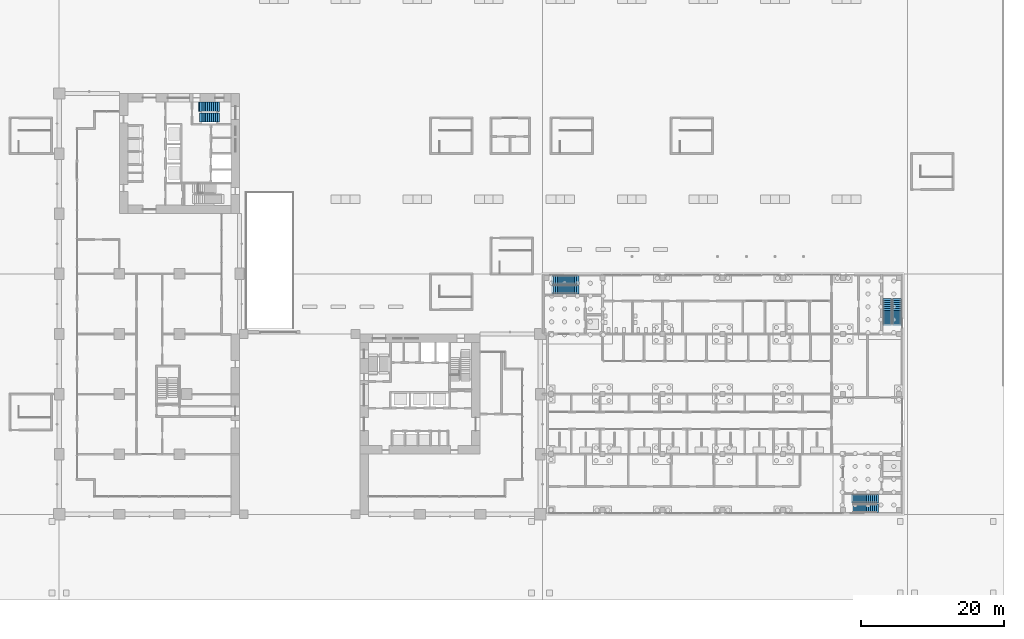
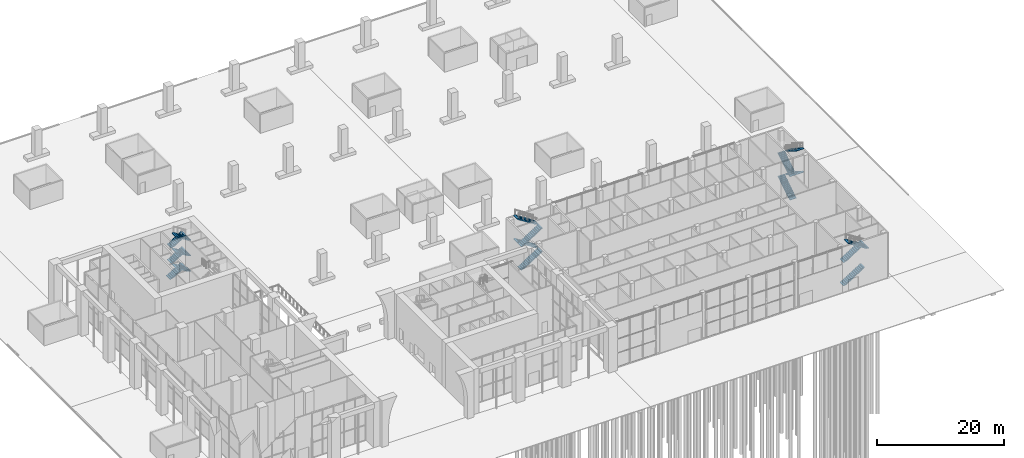
# One storey, part 33 of 46: 17 stair flights, 4 elements without a shape of their own.
"""IFC4 building model written with IfcOpenShell, lengths in metres."""

from ifc_helpers import new_model, si_unit, direction, frame, origin, place, context, subcontext, project, spatial, polyline, outline, extrude, material, type_object, element, aggregate, save


model = new_model("IFC4")

# Units and contexts
model_context = context("Model", 3, precision=1e-05, world=origin(), true_north=direction((0.0, 1.0)))
body_context = subcontext(model_context, "Body", "Model", "MODEL_VIEW")
ifc_project = project(units=[si_unit("LENGTHUNIT", "METRE"), si_unit("AREAUNIT", "SQUARE_METRE"), si_unit("VOLUMEUNIT", "CUBIC_METRE"), si_unit("PLANEANGLEUNIT", "RADIAN"), si_unit("MASSUNIT", "GRAM", prefix="KILO")], contexts=[model_context])

# Site, building, storey
site_placement = place(None, origin())
site = spatial("IfcSite", under=ifc_project, at=site_placement, CompositionType="ELEMENT")
building_placement = place(site_placement, origin())
building = spatial("IfcBuilding", under=site, at=building_placement, Name="Vermilion Gate Residences", CompositionType="ELEMENT")
storey_placement = place(building_placement, origin())
storey = spatial("IfcBuildingStorey", under=building, at=storey_placement, Name="L00", CompositionType="ELEMENT", Elevation=0.0)

# Stair, stair flights
ifc_material_1 = material(Name="Concrete C35", Category="concrete")
stair_type_1 = type_object("IfcStairType", Name="RC STAIR 1200 (MARKET HALL)", PredefinedType="HALF_TURN_STAIR", material=ifc_material_1)
stair_1_placement = place(storey_placement, origin())
stair_1 = element("IfcStair", 1, at=stair_1_placement, inside=storey, type_object=stair_type_1, Name="Stair STH1-00", PredefinedType="HALF_TURN_STAIR")
ifc_material_2 = material(Name="Concrete C35", Category="concrete")
stair_flight_type_1 = type_object("IfcStairFlightType", Name="RC STAIR FLIGHT 1200 (MARKET HALL)", PredefinedType="STRAIGHT", material=ifc_material_2)
stair_flight_1_placement = place(storey_placement, frame((69.050048828125, 31.39990234375, 0.0), z_axis=(0.0, 0.0, 1.0), x_axis=(1.0, 0.0, 0.0)))
stair_flight_1 = element("IfcStairFlight", 2, at=stair_flight_1_placement, type_object=stair_flight_type_1, Name="STH1-00 flight 1", NumberOfRisers=13, NumberOfTreads=12, PredefinedType="STRAIGHT", RiserHeight=0.173076923, TreadLength=0.27, context=body_context, shape_type="SweptSolid", body=[
    extrude(outline(polyline([(-0.300048828125, -0.14990234375), (-0.300048828125, -0.030029296875), (0.0, 0.0), (0.0, 0.173095703125), (0.27001953125, 0.173095703125), (0.27001953125, 0.34619140625), (0.5400390625, 0.34619140625), (0.5400390625, 0.519287109375), (0.81005859375, 0.519287109375), (0.81005859375, 0.6923828125), (1.080078125, 0.6923828125), (1.080078125, 0.865478515625), (1.35009765625, 0.865478515625), (1.35009765625, 1.03857421875), (1.6201171875, 1.03857421875), (1.6201171875, 1.21142578125), (1.889892578125, 1.21142578125), (1.889892578125, 1.384521484375), (2.159912109375, 1.384521484375), (2.159912109375, 1.5576171875), (2.429931640625, 1.5576171875), (2.429931640625, 1.730712890625), (2.699951171875, 1.730712890625), (2.699951171875, 1.90380859375), (2.969970703125, 1.90380859375), (2.969970703125, 2.076904296875), (3.239990234375, 2.076904296875), (3.239990234375, 2.25), (3.5400390625, 2.219970703125), (3.5400390625, 2.10009765625), (3.239990234375, 1.89892578125), (0.27783203125, 0.0), (-0.300048828125, -0.14990234375)])), frame((0.0, 0.60009765625, 0.0), z_axis=(0.0, -1.0, 0.0), x_axis=(1.0, 0.0, 0.0)), (0.0, 0.0, 1.0), 1.199951171875),
])
stair_flight_2_placement = place(storey_placement, frame((72.2900390625, 32.75, 2.25), z_axis=(0.0, 0.0, 1.0), x_axis=(-1.0, 0.0, 0.0)))
stair_flight_2 = element("IfcStairFlight", 3, at=stair_flight_2_placement, type_object=stair_flight_type_1, Name="STH1-00 flight 2", NumberOfRisers=13, NumberOfTreads=12, PredefinedType="STRAIGHT", RiserHeight=0.173076923, TreadLength=0.27, context=body_context, shape_type="SweptSolid", body=[
    extrude(outline(polyline([(-0.300048828125, -0.14990234375), (-0.300048828125, -0.030029296875), (0.0, 0.0), (0.0, 0.173095703125), (0.27001953125, 0.173095703125), (0.27001953125, 0.34619140625), (0.5400390625, 0.34619140625), (0.5400390625, 0.519287109375), (0.81005859375, 0.519287109375), (0.81005859375, 0.6923828125), (1.080078125, 0.6923828125), (1.080078125, 0.865478515625), (1.35009765625, 0.865478515625), (1.35009765625, 1.03857421875), (1.6201171875, 1.03857421875), (1.6201171875, 1.21142578125), (1.889892578125, 1.21142578125), (1.889892578125, 1.384521484375), (2.159912109375, 1.384521484375), (2.159912109375, 1.5576171875), (2.429931640625, 1.5576171875), (2.429931640625, 1.730712890625), (2.699951171875, 1.730712890625), (2.699951171875, 1.90380859375), (2.969970703125, 1.90380859375), (2.969970703125, 2.076904296875), (3.239990234375, 2.076904296875), (3.239990234375, 2.25), (3.5400390625, 2.219970703125), (3.5400390625, 2.10009765625), (3.239990234375, 1.89892578125), (0.27783203125, 0.0), (-0.300048828125, -0.14990234375)])), frame((0.0, 0.60009765625, 0.0), z_axis=(0.0, -1.0, 0.0), x_axis=(1.0, 0.0, 0.0)), (0.0, 0.0, 1.0), 1.199951171875),
])
stair_flight_3_placement = place(storey_placement, frame((69.050048828125, 31.39990234375, 4.5), z_axis=(0.0, 0.0, 1.0), x_axis=(1.0, 0.0, 0.0)))
stair_flight_3 = element("IfcStairFlight", 4, at=stair_flight_3_placement, type_object=stair_flight_type_1, Name="STH1-00 flight 3", NumberOfRisers=13, NumberOfTreads=12, PredefinedType="STRAIGHT", RiserHeight=0.173076923, TreadLength=0.27, context=body_context, shape_type="SweptSolid", body=[
    extrude(outline(polyline([(-0.300048828125, -0.14990234375), (-0.300048828125, -0.030029296875), (0.0, 0.0), (0.0, 0.173095703125), (0.27001953125, 0.173095703125), (0.27001953125, 0.34619140625), (0.5400390625, 0.34619140625), (0.5400390625, 0.519287109375), (0.81005859375, 0.519287109375), (0.81005859375, 0.6923828125), (1.080078125, 0.6923828125), (1.080078125, 0.865478515625), (1.35009765625, 0.865478515625), (1.35009765625, 1.03857421875), (1.6201171875, 1.03857421875), (1.6201171875, 1.21142578125), (1.889892578125, 1.21142578125), (1.889892578125, 1.384521484375), (2.159912109375, 1.384521484375), (2.159912109375, 1.5576171875), (2.429931640625, 1.5576171875), (2.429931640625, 1.730712890625), (2.699951171875, 1.730712890625), (2.699951171875, 1.90380859375), (2.969970703125, 1.90380859375), (2.969970703125, 2.076904296875), (3.239990234375, 2.076904296875), (3.239990234375, 2.25), (3.5400390625, 2.219970703125), (3.5400390625, 2.10009765625), (3.239990234375, 1.89892578125), (0.27783203125, 0.0), (-0.300048828125, -0.14990234375)])), frame((0.0, 0.60009765625, 0.0), z_axis=(0.0, -1.0, 0.0), x_axis=(1.0, 0.0, 0.0)), (0.0, 0.0, 1.0), 1.199951171875),
])
stair_flight_4_placement = place(storey_placement, frame((72.2900390625, 32.75, 6.75), z_axis=(0.0, 0.0, 1.0), x_axis=(-1.0, 0.0, 0.0)))
stair_flight_4 = element("IfcStairFlight", 5, at=stair_flight_4_placement, type_object=stair_flight_type_1, Name="STH1-00 flight 4", NumberOfRisers=13, NumberOfTreads=12, PredefinedType="STRAIGHT", RiserHeight=0.173076923, TreadLength=0.27, context=body_context, shape_type="SweptSolid", body=[
    extrude(outline(polyline([(-0.300048828125, -0.14990234375), (-0.300048828125, -0.030029296875), (0.0, 0.0), (0.0, 0.173095703125), (0.27001953125, 0.173095703125), (0.27001953125, 0.34619140625), (0.5400390625, 0.34619140625), (0.5400390625, 0.519287109375), (0.81005859375, 0.519287109375), (0.81005859375, 0.6923828125), (1.080078125, 0.6923828125), (1.080078125, 0.865478515625), (1.35009765625, 0.865478515625), (1.35009765625, 1.03857421875), (1.6201171875, 1.03857421875), (1.6201171875, 1.21142578125), (1.889892578125, 1.21142578125), (1.889892578125, 1.384521484375), (2.159912109375, 1.384521484375), (2.159912109375, 1.5576171875), (2.429931640625, 1.5576171875), (2.429931640625, 1.730712890625), (2.699951171875, 1.730712890625), (2.699951171875, 1.90380859375), (2.969970703125, 1.90380859375), (2.969970703125, 2.076904296875), (3.239990234375, 2.076904296875), (3.239990234375, 2.25), (3.5400390625, 2.219970703125), (3.5400390625, 2.10009765625), (3.239990234375, 1.89892578125), (0.27783203125, 0.0), (-0.300048828125, -0.14990234375)])), frame((0.0, 0.60009765625, 0.0), z_axis=(0.0, -1.0, 0.0), x_axis=(1.0, 0.0, 0.0)), (0.0, 0.0, 1.0), 1.199951171875),
])
aggregate(stair_1, [stair_flight_1, stair_flight_2, stair_flight_3, stair_flight_4])

stair_2_placement = place(storey_placement, origin())
stair_2 = element("IfcStair", 6, at=stair_2_placement, inside=storey, type_object=stair_type_1, Name="Stair STH2-00", PredefinedType="HALF_TURN_STAIR")
stair_flight_5_placement = place(storey_placement, frame((110.925048828125, 2.199951171875, 0.0), z_axis=(0.0, 0.0, 1.0), x_axis=(1.0, 0.0, 0.0)))
stair_flight_5 = element("IfcStairFlight", 7, at=stair_flight_5_placement, type_object=stair_flight_type_1, Name="STH2-00 flight 1", NumberOfRisers=13, NumberOfTreads=12, PredefinedType="STRAIGHT", RiserHeight=0.173076923, TreadLength=0.27, context=body_context, shape_type="SweptSolid", body=[
    extrude(outline(polyline([(-0.300048828125, -0.14990234375), (-0.300048828125, -0.030029296875), (0.0, 0.0), (0.0, 0.173095703125), (0.27001953125, 0.173095703125), (0.27001953125, 0.34619140625), (0.5400390625, 0.34619140625), (0.5400390625, 0.519287109375), (0.81005859375, 0.519287109375), (0.81005859375, 0.6923828125), (1.080078125, 0.6923828125), (1.080078125, 0.865478515625), (1.35009765625, 0.865478515625), (1.35009765625, 1.03857421875), (1.6201171875, 1.03857421875), (1.6201171875, 1.21142578125), (1.889892578125, 1.21142578125), (1.889892578125, 1.384521484375), (2.159912109375, 1.384521484375), (2.159912109375, 1.5576171875), (2.429931640625, 1.5576171875), (2.429931640625, 1.730712890625), (2.699951171875, 1.730712890625), (2.699951171875, 1.90380859375), (2.969970703125, 1.90380859375), (2.969970703125, 2.076904296875), (3.239990234375, 2.076904296875), (3.239990234375, 2.25), (3.5400390625, 2.219970703125), (3.5400390625, 2.10009765625), (3.239990234375, 1.89892578125), (0.27783203125, 0.0), (-0.300048828125, -0.14990234375)])), frame((0.0, 0.60009765625, 0.0), z_axis=(0.0, -1.0, 0.0), x_axis=(1.0, 0.0, 0.0)), (0.0, 0.0, 1.0), 1.199951171875),
])
stair_flight_6_placement = place(storey_placement, frame((110.925048828125, 2.199951171875, 4.5), z_axis=(0.0, 0.0, 1.0), x_axis=(1.0, 0.0, 0.0)))
stair_flight_6 = element("IfcStairFlight", 8, at=stair_flight_6_placement, type_object=stair_flight_type_1, Name="STH2-00 flight 3", NumberOfRisers=13, NumberOfTreads=12, PredefinedType="STRAIGHT", RiserHeight=0.173076923, TreadLength=0.27, context=body_context, shape_type="SweptSolid", body=[
    extrude(outline(polyline([(-0.300048828125, -0.14990234375), (-0.300048828125, -0.030029296875), (0.0, 0.0), (0.0, 0.173095703125), (0.27001953125, 0.173095703125), (0.27001953125, 0.34619140625), (0.5400390625, 0.34619140625), (0.5400390625, 0.519287109375), (0.81005859375, 0.519287109375), (0.81005859375, 0.6923828125), (1.080078125, 0.6923828125), (1.080078125, 0.865478515625), (1.35009765625, 0.865478515625), (1.35009765625, 1.03857421875), (1.6201171875, 1.03857421875), (1.6201171875, 1.21142578125), (1.889892578125, 1.21142578125), (1.889892578125, 1.384521484375), (2.159912109375, 1.384521484375), (2.159912109375, 1.5576171875), (2.429931640625, 1.5576171875), (2.429931640625, 1.730712890625), (2.699951171875, 1.730712890625), (2.699951171875, 1.90380859375), (2.969970703125, 1.90380859375), (2.969970703125, 2.076904296875), (3.239990234375, 2.076904296875), (3.239990234375, 2.25), (3.5400390625, 2.219970703125), (3.5400390625, 2.10009765625), (3.239990234375, 1.89892578125), (0.27783203125, 0.0), (-0.300048828125, -0.14990234375)])), frame((0.0, 0.60009765625, 0.0), z_axis=(0.0, -1.0, 0.0), x_axis=(1.0, 0.0, 0.0)), (0.0, 0.0, 1.0), 1.199951171875),
])
stair_flight_7_placement = place(storey_placement, frame((114.1650390625, 0.85009765625, 6.75), z_axis=(0.0, 0.0, 1.0), x_axis=(-1.0, 0.0, 0.0)))
stair_flight_7 = element("IfcStairFlight", 9, at=stair_flight_7_placement, type_object=stair_flight_type_1, Name="STH2-00 flight 4", NumberOfRisers=13, NumberOfTreads=12, PredefinedType="STRAIGHT", RiserHeight=0.173076923, TreadLength=0.27, context=body_context, shape_type="SweptSolid", body=[
    extrude(outline(polyline([(-0.300048828125, -0.14990234375), (-0.300048828125, -0.030029296875), (0.0, 0.0), (0.0, 0.173095703125), (0.27001953125, 0.173095703125), (0.27001953125, 0.34619140625), (0.5400390625, 0.34619140625), (0.5400390625, 0.519287109375), (0.81005859375, 0.519287109375), (0.81005859375, 0.6923828125), (1.080078125, 0.6923828125), (1.080078125, 0.865478515625), (1.35009765625, 0.865478515625), (1.35009765625, 1.03857421875), (1.6201171875, 1.03857421875), (1.6201171875, 1.21142578125), (1.889892578125, 1.21142578125), (1.889892578125, 1.384521484375), (2.159912109375, 1.384521484375), (2.159912109375, 1.5576171875), (2.429931640625, 1.5576171875), (2.429931640625, 1.730712890625), (2.699951171875, 1.730712890625), (2.699951171875, 1.90380859375), (2.969970703125, 1.90380859375), (2.969970703125, 2.076904296875), (3.239990234375, 2.076904296875), (3.239990234375, 2.25), (3.5400390625, 2.219970703125), (3.5400390625, 2.10009765625), (3.239990234375, 1.89892578125), (0.27783203125, 0.0), (-0.300048828125, -0.14990234375)])), frame((0.0, 0.60009765625, 0.0), z_axis=(0.0, -1.0, 0.0), x_axis=(1.0, 0.0, 0.0)), (0.0, 0.0, 1.0), 1.199951171875),
])
aggregate(stair_2, [stair_flight_5, stair_flight_6, stair_flight_7])

stair_3_placement = place(storey_placement, origin())
stair_3 = element("IfcStair", 10, at=stair_3_placement, inside=storey, type_object=stair_type_1, Name="Stair STH3-00", PredefinedType="HALF_TURN_STAIR")
stair_flight_8_placement = place(storey_placement, frame((115.699951171875, 26.625, 0.0), z_axis=(0.0, 0.0, 1.0), x_axis=(0.0, 1.0, 0.0)))
stair_flight_8 = element("IfcStairFlight", 11, at=stair_flight_8_placement, type_object=stair_flight_type_1, Name="STH3-00 flight 1", NumberOfRisers=13, NumberOfTreads=12, PredefinedType="STRAIGHT", RiserHeight=0.173076923, TreadLength=0.27, context=body_context, shape_type="SweptSolid", body=[
    extrude(outline(polyline([(-0.300048828125, -0.14990234375), (-0.300048828125, -0.030029296875), (0.0, 0.0), (0.0, 0.173095703125), (0.27001953125, 0.173095703125), (0.27001953125, 0.34619140625), (0.5400390625, 0.34619140625), (0.5400390625, 0.519287109375), (0.81005859375, 0.519287109375), (0.81005859375, 0.6923828125), (1.080078125, 0.6923828125), (1.080078125, 0.865478515625), (1.35009765625, 0.865478515625), (1.35009765625, 1.03857421875), (1.6201171875, 1.03857421875), (1.6201171875, 1.21142578125), (1.889892578125, 1.21142578125), (1.889892578125, 1.384521484375), (2.159912109375, 1.384521484375), (2.159912109375, 1.5576171875), (2.429931640625, 1.5576171875), (2.429931640625, 1.730712890625), (2.699951171875, 1.730712890625), (2.699951171875, 1.90380859375), (2.969970703125, 1.90380859375), (2.969970703125, 2.076904296875), (3.239990234375, 2.076904296875), (3.239990234375, 2.25), (3.5400390625, 2.219970703125), (3.5400390625, 2.10009765625), (3.239990234375, 1.89892578125), (0.27783203125, 0.0), (-0.300048828125, -0.14990234375)])), frame((0.0, 0.60009765625, 0.0), z_axis=(0.0, -1.0, 0.0), x_axis=(1.0, 0.0, 0.0)), (0.0, 0.0, 1.0), 1.199951171875),
])
stair_flight_9_placement = place(storey_placement, frame((117.050048828125, 29.864990234375, 2.25), z_axis=(0.0, 0.0, 1.0), x_axis=(0.0, -1.0, 0.0)))
stair_flight_9 = element("IfcStairFlight", 12, at=stair_flight_9_placement, type_object=stair_flight_type_1, Name="STH3-00 flight 2", NumberOfRisers=13, NumberOfTreads=12, PredefinedType="STRAIGHT", RiserHeight=0.173076923, TreadLength=0.27, context=body_context, shape_type="SweptSolid", body=[
    extrude(outline(polyline([(-0.300048828125, -0.14990234375), (-0.300048828125, -0.030029296875), (0.0, 0.0), (0.0, 0.173095703125), (0.27001953125, 0.173095703125), (0.27001953125, 0.34619140625), (0.5400390625, 0.34619140625), (0.5400390625, 0.519287109375), (0.81005859375, 0.519287109375), (0.81005859375, 0.6923828125), (1.080078125, 0.6923828125), (1.080078125, 0.865478515625), (1.35009765625, 0.865478515625), (1.35009765625, 1.03857421875), (1.6201171875, 1.03857421875), (1.6201171875, 1.21142578125), (1.889892578125, 1.21142578125), (1.889892578125, 1.384521484375), (2.159912109375, 1.384521484375), (2.159912109375, 1.5576171875), (2.429931640625, 1.5576171875), (2.429931640625, 1.730712890625), (2.699951171875, 1.730712890625), (2.699951171875, 1.90380859375), (2.969970703125, 1.90380859375), (2.969970703125, 2.076904296875), (3.239990234375, 2.076904296875), (3.239990234375, 2.25), (3.5400390625, 2.219970703125), (3.5400390625, 2.10009765625), (3.239990234375, 1.89892578125), (0.27783203125, 0.0), (-0.300048828125, -0.14990234375)])), frame((0.0, 0.60009765625, 0.0), z_axis=(0.0, -1.0, 0.0), x_axis=(1.0, 0.0, 0.0)), (0.0, 0.0, 1.0), 1.199951171875),
])
stair_flight_10_placement = place(storey_placement, frame((115.699951171875, 26.625, 4.5), z_axis=(0.0, 0.0, 1.0), x_axis=(0.0, 1.0, 0.0)))
stair_flight_10 = element("IfcStairFlight", 13, at=stair_flight_10_placement, type_object=stair_flight_type_1, Name="STH3-00 flight 3", NumberOfRisers=13, NumberOfTreads=12, PredefinedType="STRAIGHT", RiserHeight=0.173076923, TreadLength=0.27, context=body_context, shape_type="SweptSolid", body=[
    extrude(outline(polyline([(-0.300048828125, -0.14990234375), (-0.300048828125, -0.030029296875), (0.0, 0.0), (0.0, 0.173095703125), (0.27001953125, 0.173095703125), (0.27001953125, 0.34619140625), (0.5400390625, 0.34619140625), (0.5400390625, 0.519287109375), (0.81005859375, 0.519287109375), (0.81005859375, 0.6923828125), (1.080078125, 0.6923828125), (1.080078125, 0.865478515625), (1.35009765625, 0.865478515625), (1.35009765625, 1.03857421875), (1.6201171875, 1.03857421875), (1.6201171875, 1.21142578125), (1.889892578125, 1.21142578125), (1.889892578125, 1.384521484375), (2.159912109375, 1.384521484375), (2.159912109375, 1.5576171875), (2.429931640625, 1.5576171875), (2.429931640625, 1.730712890625), (2.699951171875, 1.730712890625), (2.699951171875, 1.90380859375), (2.969970703125, 1.90380859375), (2.969970703125, 2.076904296875), (3.239990234375, 2.076904296875), (3.239990234375, 2.25), (3.5400390625, 2.219970703125), (3.5400390625, 2.10009765625), (3.239990234375, 1.89892578125), (0.27783203125, 0.0), (-0.300048828125, -0.14990234375)])), frame((0.0, 0.60009765625, 0.0), z_axis=(0.0, -1.0, 0.0), x_axis=(1.0, 0.0, 0.0)), (0.0, 0.0, 1.0), 1.199951171875),
])
stair_flight_11_placement = place(storey_placement, frame((117.050048828125, 29.864990234375, 6.75), z_axis=(0.0, 0.0, 1.0), x_axis=(0.0, -1.0, 0.0)))
stair_flight_11 = element("IfcStairFlight", 14, at=stair_flight_11_placement, type_object=stair_flight_type_1, Name="STH3-00 flight 4", NumberOfRisers=13, NumberOfTreads=12, PredefinedType="STRAIGHT", RiserHeight=0.173076923, TreadLength=0.27, context=body_context, shape_type="SweptSolid", body=[
    extrude(outline(polyline([(-0.300048828125, -0.14990234375), (-0.300048828125, -0.030029296875), (0.0, 0.0), (0.0, 0.173095703125), (0.27001953125, 0.173095703125), (0.27001953125, 0.34619140625), (0.5400390625, 0.34619140625), (0.5400390625, 0.519287109375), (0.81005859375, 0.519287109375), (0.81005859375, 0.6923828125), (1.080078125, 0.6923828125), (1.080078125, 0.865478515625), (1.35009765625, 0.865478515625), (1.35009765625, 1.03857421875), (1.6201171875, 1.03857421875), (1.6201171875, 1.21142578125), (1.889892578125, 1.21142578125), (1.889892578125, 1.384521484375), (2.159912109375, 1.384521484375), (2.159912109375, 1.5576171875), (2.429931640625, 1.5576171875), (2.429931640625, 1.730712890625), (2.699951171875, 1.730712890625), (2.699951171875, 1.90380859375), (2.969970703125, 1.90380859375), (2.969970703125, 2.076904296875), (3.239990234375, 2.076904296875), (3.239990234375, 2.25), (3.5400390625, 2.219970703125), (3.5400390625, 2.10009765625), (3.239990234375, 1.89892578125), (0.27783203125, 0.0), (-0.300048828125, -0.14990234375)])), frame((0.0, 0.60009765625, 0.0), z_axis=(0.0, -1.0, 0.0), x_axis=(1.0, 0.0, 0.0)), (0.0, 0.0, 1.0), 1.199951171875),
])
aggregate(stair_3, [stair_flight_8, stair_flight_9, stair_flight_10, stair_flight_11])

ifc_material_3 = material(Name="Concrete C50", Category="concrete")
stair_type_2 = type_object("IfcStairType", Name="SPECIAL ESCAPE STAIR 1300", PredefinedType="HALF_TURN_STAIR", material=ifc_material_3)
stair_4_placement = place(storey_placement, origin())
stair_4 = element("IfcStair", 15, at=stair_4_placement, inside=storey, type_object=stair_type_2, Name="Special escape stair STB1-00", PredefinedType="HALF_TURN_STAIR")
ifc_material_4 = material(Name="Concrete C50", Category="concrete")
stair_flight_type_2 = type_object("IfcStairFlightType", Name="STAIR FLIGHT 1300 RC C50", PredefinedType="STRAIGHT", material=ifc_material_4)
stair_flight_12_placement = place(storey_placement, frame((19.75, 56.949951171875, 0.0), z_axis=(0.0, 0.0, 1.0), x_axis=(1.0, 0.0, 0.0)))
stair_flight_12 = element("IfcStairFlight", 16, at=stair_flight_12_placement, type_object=stair_flight_type_2, Name="STB1-00 flight 1", NumberOfRisers=9, NumberOfTreads=8, PredefinedType="STRAIGHT", RiserHeight=0.166666667, TreadLength=0.27, context=body_context, shape_type="SweptSolid", body=[
    extrude(outline(polyline([(-0.300048828125, -0.14990234375), (-0.300048828125, -0.030029296875), (0.0, 0.0), (0.0, 0.166748046875), (0.27001953125, 0.166748046875), (0.27001953125, 0.333251953125), (0.5400390625, 0.333251953125), (0.5400390625, 0.5), (0.81005859375, 0.5), (0.81005859375, 0.666748046875), (1.080078125, 0.666748046875), (1.080078125, 0.833251953125), (1.35009765625, 0.833251953125), (1.35009765625, 1.0), (1.6201171875, 1.0), (1.6201171875, 1.166748046875), (1.889892578125, 1.166748046875), (1.889892578125, 1.333251953125), (2.159912109375, 1.333251953125), (2.159912109375, 1.5), (2.4599609375, 1.469970703125), (2.4599609375, 1.35009765625), (2.159912109375, 1.1572265625), (0.285400390625, 0.0), (-0.300048828125, -0.14990234375)])), frame((0.0, 0.64990234375, 0.0), z_axis=(0.0, -1.0, 0.0), x_axis=(1.0, 0.0, 0.0)), (0.0, 0.0, 1.0), 1.300048828125),
])
stair_flight_13_placement = place(storey_placement, frame((22.090087890625, 55.449951171875, 1.5), z_axis=(0.0, 0.0, 1.0), x_axis=(-1.0, 0.0, 0.0)))
stair_flight_13 = element("IfcStairFlight", 17, at=stair_flight_13_placement, type_object=stair_flight_type_2, Name="STB1-00 flight 2", NumberOfRisers=9, NumberOfTreads=8, PredefinedType="STRAIGHT", RiserHeight=0.166666667, TreadLength=0.27, context=body_context, shape_type="SweptSolid", body=[
    extrude(outline(polyline([(-0.300048828125, -0.14990234375), (-0.300048828125, -0.030029296875), (0.0, 0.0), (0.0, 0.166748046875), (0.27001953125, 0.166748046875), (0.27001953125, 0.333251953125), (0.5400390625, 0.333251953125), (0.5400390625, 0.5), (0.81005859375, 0.5), (0.81005859375, 0.666748046875), (1.080078125, 0.666748046875), (1.080078125, 0.833251953125), (1.35009765625, 0.833251953125), (1.35009765625, 1.0), (1.6201171875, 1.0), (1.6201171875, 1.166748046875), (1.889892578125, 1.166748046875), (1.889892578125, 1.333251953125), (2.159912109375, 1.333251953125), (2.159912109375, 1.5), (2.4599609375, 1.469970703125), (2.4599609375, 1.35009765625), (2.159912109375, 1.1572265625), (0.285400390625, 0.0), (-0.300048828125, -0.14990234375)])), frame((0.0, 0.64990234375, 0.0), z_axis=(0.0, -1.0, 0.0), x_axis=(1.0, 0.0, 0.0)), (0.0, 0.0, 1.0), 1.300048828125),
])
stair_flight_14_placement = place(storey_placement, frame((19.929931640625, 56.949951171875, 3.0), z_axis=(0.0, 0.0, 1.0), x_axis=(1.0, 0.0, 0.0)))
stair_flight_14 = element("IfcStairFlight", 18, at=stair_flight_14_placement, type_object=stair_flight_type_2, Name="STB1-00 flight 3", NumberOfRisers=9, NumberOfTreads=8, PredefinedType="STRAIGHT", RiserHeight=0.166666667, TreadLength=0.27, context=body_context, shape_type="SweptSolid", body=[
    extrude(outline(polyline([(-0.300048828125, -0.14990234375), (-0.300048828125, -0.030029296875), (0.0, 0.0), (0.0, 0.166748046875), (0.27001953125, 0.166748046875), (0.27001953125, 0.333251953125), (0.5400390625, 0.333251953125), (0.5400390625, 0.5), (0.81005859375, 0.5), (0.81005859375, 0.666748046875), (1.080078125, 0.666748046875), (1.080078125, 0.833251953125), (1.35009765625, 0.833251953125), (1.35009765625, 1.0), (1.6201171875, 1.0), (1.6201171875, 1.166748046875), (1.889892578125, 1.166748046875), (1.889892578125, 1.333251953125), (2.159912109375, 1.333251953125), (2.159912109375, 1.5), (2.4599609375, 1.469970703125), (2.4599609375, 1.35009765625), (2.159912109375, 1.1572265625), (0.285400390625, 0.0), (-0.300048828125, -0.14990234375)])), frame((0.0, 0.64990234375, 0.0), z_axis=(0.0, -1.0, 0.0), x_axis=(1.0, 0.0, 0.0)), (0.0, 0.0, 1.0), 1.300048828125),
])
stair_flight_15_placement = place(storey_placement, frame((22.090087890625, 55.449951171875, 4.5), z_axis=(0.0, 0.0, 1.0), x_axis=(-1.0, 0.0, 0.0)))
stair_flight_15 = element("IfcStairFlight", 19, at=stair_flight_15_placement, type_object=stair_flight_type_2, Name="STB1-00 flight 4", NumberOfRisers=9, NumberOfTreads=8, PredefinedType="STRAIGHT", RiserHeight=0.166666667, TreadLength=0.27, context=body_context, shape_type="SweptSolid", body=[
    extrude(outline(polyline([(-0.300048828125, -0.14990234375), (-0.300048828125, -0.030029296875), (0.0, 0.0), (0.0, 0.166748046875), (0.27001953125, 0.166748046875), (0.27001953125, 0.333251953125), (0.5400390625, 0.333251953125), (0.5400390625, 0.5), (0.81005859375, 0.5), (0.81005859375, 0.666748046875), (1.080078125, 0.666748046875), (1.080078125, 0.833251953125), (1.35009765625, 0.833251953125), (1.35009765625, 1.0), (1.6201171875, 1.0), (1.6201171875, 1.166748046875), (1.889892578125, 1.166748046875), (1.889892578125, 1.333251953125), (2.159912109375, 1.333251953125), (2.159912109375, 1.5), (2.4599609375, 1.469970703125), (2.4599609375, 1.35009765625), (2.159912109375, 1.1572265625), (0.285400390625, 0.0), (-0.300048828125, -0.14990234375)])), frame((0.0, 0.64990234375, 0.0), z_axis=(0.0, -1.0, 0.0), x_axis=(1.0, 0.0, 0.0)), (0.0, 0.0, 1.0), 1.300048828125),
])
stair_flight_16_placement = place(storey_placement, frame((19.929931640625, 56.949951171875, 6.0), z_axis=(0.0, 0.0, 1.0), x_axis=(1.0, 0.0, 0.0)))
stair_flight_16 = element("IfcStairFlight", 20, at=stair_flight_16_placement, type_object=stair_flight_type_2, Name="STB1-00 flight 5", NumberOfRisers=9, NumberOfTreads=8, PredefinedType="STRAIGHT", RiserHeight=0.166666667, TreadLength=0.27, context=body_context, shape_type="SweptSolid", body=[
    extrude(outline(polyline([(-0.300048828125, -0.14990234375), (-0.300048828125, -0.030029296875), (0.0, 0.0), (0.0, 0.166748046875), (0.27001953125, 0.166748046875), (0.27001953125, 0.333251953125), (0.5400390625, 0.333251953125), (0.5400390625, 0.5), (0.81005859375, 0.5), (0.81005859375, 0.666748046875), (1.080078125, 0.666748046875), (1.080078125, 0.833251953125), (1.35009765625, 0.833251953125), (1.35009765625, 1.0), (1.6201171875, 1.0), (1.6201171875, 1.166748046875), (1.889892578125, 1.166748046875), (1.889892578125, 1.333251953125), (2.159912109375, 1.333251953125), (2.159912109375, 1.5), (2.4599609375, 1.469970703125), (2.4599609375, 1.35009765625), (2.159912109375, 1.1572265625), (0.285400390625, 0.0), (-0.300048828125, -0.14990234375)])), frame((0.0, 0.64990234375, 0.0), z_axis=(0.0, -1.0, 0.0), x_axis=(1.0, 0.0, 0.0)), (0.0, 0.0, 1.0), 1.300048828125),
])
stair_flight_17_placement = place(storey_placement, frame((22.090087890625, 55.449951171875, 7.5), z_axis=(0.0, 0.0, 1.0), x_axis=(-1.0, 0.0, 0.0)))
stair_flight_17 = element("IfcStairFlight", 21, at=stair_flight_17_placement, type_object=stair_flight_type_2, Name="STB1-00 flight 6", NumberOfRisers=9, NumberOfTreads=8, PredefinedType="STRAIGHT", RiserHeight=0.166666667, TreadLength=0.27, context=body_context, shape_type="SweptSolid", body=[
    extrude(outline(polyline([(-0.300048828125, -0.14990234375), (-0.300048828125, -0.030029296875), (0.0, 0.0), (0.0, 0.166748046875), (0.27001953125, 0.166748046875), (0.27001953125, 0.333251953125), (0.5400390625, 0.333251953125), (0.5400390625, 0.5), (0.81005859375, 0.5), (0.81005859375, 0.666748046875), (1.080078125, 0.666748046875), (1.080078125, 0.833251953125), (1.35009765625, 0.833251953125), (1.35009765625, 1.0), (1.6201171875, 1.0), (1.6201171875, 1.166748046875), (1.889892578125, 1.166748046875), (1.889892578125, 1.333251953125), (2.159912109375, 1.333251953125), (2.159912109375, 1.5), (2.4599609375, 1.469970703125), (2.4599609375, 1.35009765625), (2.159912109375, 1.1572265625), (0.285400390625, 0.0), (-0.300048828125, -0.14990234375)])), frame((0.0, 0.64990234375, 0.0), z_axis=(0.0, -1.0, 0.0), x_axis=(1.0, 0.0, 0.0)), (0.0, 0.0, 1.0), 1.300048828125),
])
aggregate(stair_4, [stair_flight_12, stair_flight_13, stair_flight_14, stair_flight_15, stair_flight_16, stair_flight_17])

save(model, "model.ifc")
